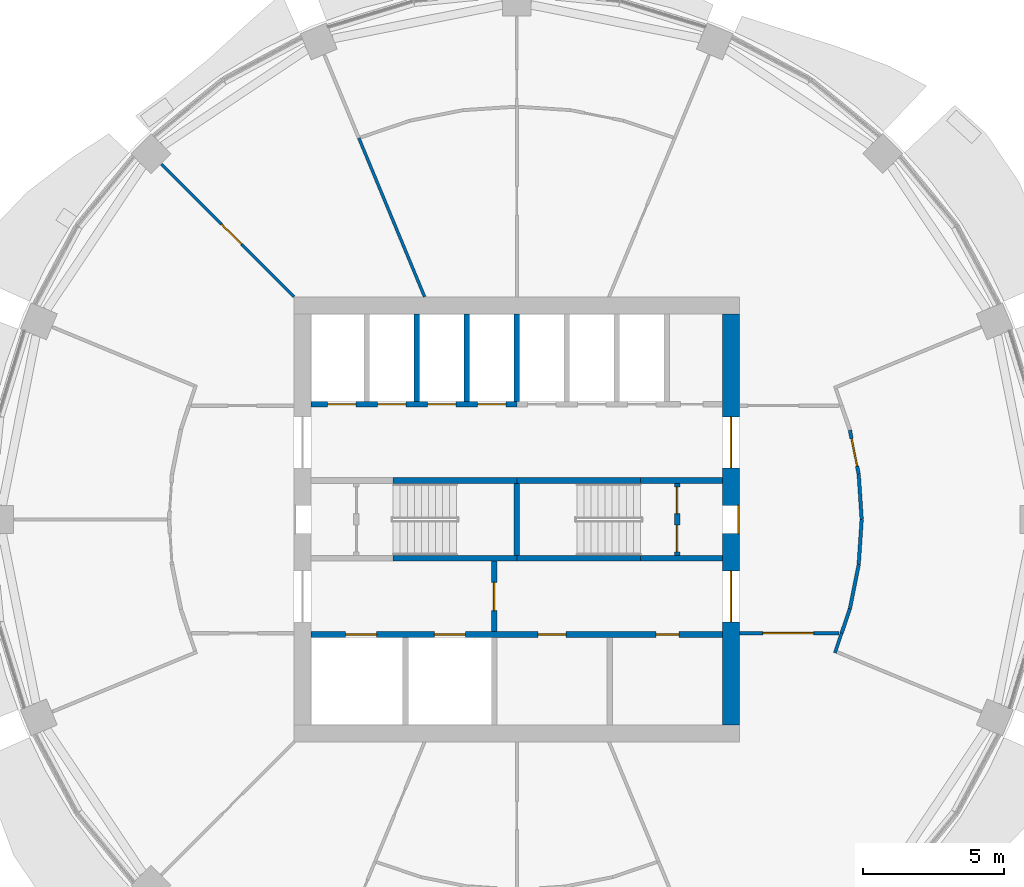
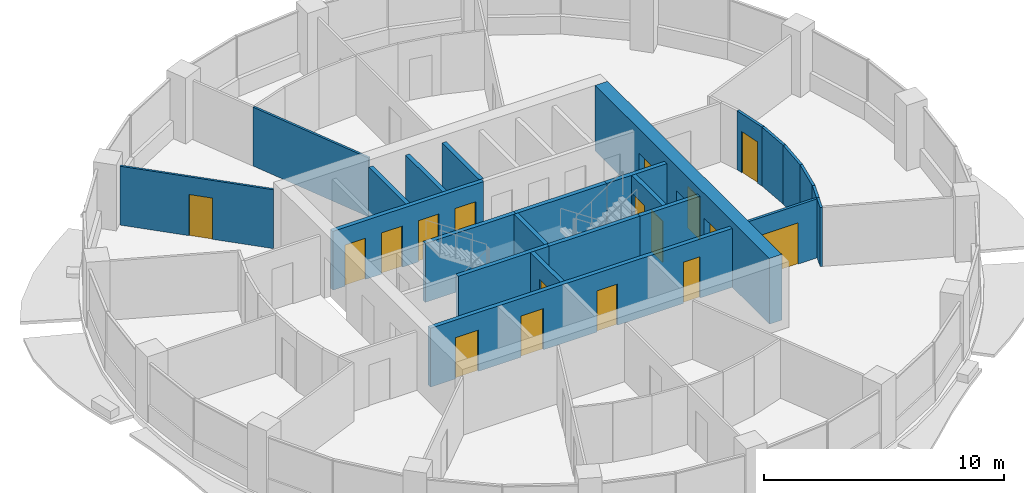
# One storey, part 9 of 14: 24 walls, 17 doors, 17 openings.
"""IFC4 building model written with IfcOpenShell, lengths in metres."""

from ifc_helpers import new_model, si_unit, direction, frame, frame_2d, origin, place, context, subcontext, project, spatial, rectangle, extrude, material, layer, layer_set, type_object, element, fill, save


model = new_model("IFC4")

# Units and contexts
model_context = context("Model", 3, precision=1e-05, world=origin(), true_north=direction((0.0, 1.0)))
body_context = subcontext(model_context, "Body", "Model", "MODEL_VIEW")
ifc_project = project(units=[si_unit("LENGTHUNIT", "METRE"), si_unit("AREAUNIT", "SQUARE_METRE"), si_unit("VOLUMEUNIT", "CUBIC_METRE"), si_unit("PLANEANGLEUNIT", "RADIAN"), si_unit("MASSUNIT", "GRAM", prefix="KILO")], contexts=[model_context])

# Site, building, storey
site_placement = place(None, origin())
site = spatial("IfcSite", under=ifc_project, at=site_placement, CompositionType="ELEMENT")
building_placement = place(site_placement, origin())
building = spatial("IfcBuilding", under=site, at=building_placement, Name="Polderwave Tower", CompositionType="ELEMENT")
storey_placement = place(building_placement, frame((0.0, 0.0, 147.75)))
storey = spatial("IfcBuildingStorey", under=building, at=storey_placement, Name="L39", CompositionType="ELEMENT", Elevation=147.75)

# Wall, openings, doors
ifc_material_1 = material(Name="Concrete C60/75", Category="concrete")
ifc_layer_1 = layer(ifc_material_1, 0.60009765625)
ifc_layer_set_1 = layer_set([ifc_layer_1], Name="CORE WALL 600 C60/75")
wall_type_1 = type_object("IfcWallType", Name="CORE WALL 600 C60/75", PredefinedType="SHEAR", material=ifc_layer_set_1)
wall_1_placement = place(storey_placement, frame((7.573974609375, -7.27392578125, 0.0), z_axis=(0.0, 0.0, 1.0), x_axis=(0.0, 1.0, 0.0)))
wall_1 = element("IfcWall", 1, at=wall_1_placement, inside=storey, type_object=wall_type_1, Name="ST-CORE-L39-E", PredefinedType="SHEAR", context=body_context, shape_type="SweptSolid", body=[
    extrude(rectangle(XDim=14.5478515625, YDim=0.60009765625, at=frame_2d((7.27392578125, 0.0))), origin(), (0.0, 0.0, 1.0), 3.35009765625),
])
opening_1_placement = place(wall_1_placement, frame((6.77392578125, 0.0, 0.0)))
opening_1 = element("IfcOpeningElement", 2, at=opening_1_placement, cuts=wall_1, Name="Opening L39-D21", PredefinedType="OPENING", context=body_context, shape_type="SweptSolid", body=[
    extrude(rectangle(XDim=1.0, YDim=2.10009765625, at=frame_2d((0.5, 1.050048828125))), frame((0.0, 0.31005859375, 0.0), z_axis=(0.0, -1.0, 0.0), x_axis=(1.0, 0.0, 0.0)), (0.0, 0.0, 1.0), 0.6201171875),
])
opening_2_placement = place(wall_1_placement, frame((3.6494140625, 0.0, 0.0)))
opening_2 = element("IfcOpeningElement", 3, at=opening_2_placement, cuts=wall_1, Name="Opening L39-D22", PredefinedType="OPENING", context=body_context, shape_type="SweptSolid", body=[
    extrude(rectangle(XDim=1.800048828125, YDim=2.10009765625, at=frame_2d((0.89990234375, 1.050048828125))), frame((0.0, 0.31005859375, 0.0), z_axis=(0.0, -1.0, 0.0), x_axis=(1.0, 0.0, 0.0)), (0.0, 0.0, 1.0), 0.6201171875),
])
opening_3_placement = place(wall_1_placement, frame((9.098388671875, 0.0, 0.0)))
opening_3 = element("IfcOpeningElement", 4, at=opening_3_placement, cuts=wall_1, Name="Opening L39-D23", PredefinedType="OPENING", context=body_context, shape_type="SweptSolid", body=[
    extrude(rectangle(XDim=1.800048828125, YDim=2.10009765625, at=frame_2d((0.89990234375, 1.050048828125))), frame((0.0, 0.31005859375, 0.0), z_axis=(0.0, -1.0, 0.0), x_axis=(1.0, 0.0, 0.0)), (0.0, 0.0, 1.0), 0.6201171875),
])
ifc_material_2 = material(Name="Steel fire door", Category="steel")
door_type_1 = type_object("IfcDoorType", Name="Lobby entry door pair 1800", OperationType="DOUBLE_DOOR_SINGLE_SWING", PredefinedType="DOOR", material=ifc_material_2)
door_1_placement = place(opening_2_placement, frame((1.800048828125, 0.0, 0.0), z_axis=(0.0, 0.0, 1.0), x_axis=(-1.0, 0.0, 0.0)))
door_1 = element("IfcDoor", 5, at=door_1_placement, inside=storey, type_object=door_type_1, Name="South lobby entry door", OperationType="DOUBLE_DOOR_SINGLE_SWING", OverallHeight=2.10009765625, OverallWidth=1.800048828125, PredefinedType="DOOR", context=body_context, shape_type="SweptSolid", body=[
    extrude(rectangle(XDim=1.800048828125, YDim=2.10009765625, at=frame_2d((0.89990234375, 1.050048828125))), frame((0.0, 0.02490234375, 0.0), z_axis=(0.0, -1.0, 0.0), x_axis=(1.0, 0.0, 0.0)), (0.0, 0.0, 1.0), 0.050048828125),
])
fill(opening_2, door_1)
door_2_placement = place(opening_3_placement, frame((1.800048828125, 0.0, 0.0), z_axis=(0.0, 0.0, 1.0), x_axis=(-1.0, 0.0, 0.0)))
door_2 = element("IfcDoor", 6, at=door_2_placement, inside=storey, type_object=door_type_1, Name="North lobby entry door", OperationType="DOUBLE_DOOR_SINGLE_SWING", OverallHeight=2.10009765625, OverallWidth=1.800048828125, PredefinedType="DOOR", context=body_context, shape_type="SweptSolid", body=[
    extrude(rectangle(XDim=1.800048828125, YDim=2.10009765625, at=frame_2d((0.89990234375, 1.050048828125))), frame((0.0, 0.02490234375, 0.0), z_axis=(0.0, -1.0, 0.0), x_axis=(1.0, 0.0, 0.0)), (0.0, 0.0, 1.0), 0.050048828125),
])
fill(opening_3, door_2)
door_type_2 = type_object("IfcDoorType", Name="Stair door 1000", OperationType="NOTDEFINED", PredefinedType="DOOR", material=ifc_material_2)
door_3_placement = place(opening_1_placement, frame((1.0, 0.0, 0.0), z_axis=(0.0, 0.0, 1.0), x_axis=(-1.0, 0.0, 0.0)))
door_3 = element("IfcDoor", 7, at=door_3_placement, inside=storey, type_object=door_type_2, Name="Stair B entry door", OperationType="SINGLE_SWING_LEFT", OverallHeight=2.10009765625, OverallWidth=1.0, PredefinedType="DOOR", context=body_context, shape_type="SweptSolid", body=[
    extrude(rectangle(XDim=1.0, YDim=2.10009765625, at=frame_2d((0.5, 1.050048828125))), frame((0.0, 0.2998046875, 0.0), z_axis=(0.0, -1.0, 0.0), x_axis=(1.0, 0.0, 0.0)), (0.0, 0.0, 1.0), 0.050048828125),
])
fill(opening_1, door_3)

# Wall, opening, door
ifc_material_3 = material(Name="Gypsum board partition")
ifc_layer_2 = layer(ifc_material_3, 0.199951171875)
ifc_layer_set_2 = layer_set([ifc_layer_2], Name="Core room partition 200")
wall_type_2 = type_object("IfcWallType", Name="Core room partition 200", PredefinedType="PARTITIONING", material=ifc_layer_set_2)
wall_2_placement = place(storey_placement, frame((-0.800048828125, -3.97412109375, 0.0), z_axis=(0.0, 0.0, 1.0), x_axis=(0.0, 1.0, 0.0)))
wall_2 = element("IfcWall", 8, at=wall_2_placement, inside=storey, type_object=wall_type_2, Name="L39 fire-fighting lobby wall", PredefinedType="PARTITIONING", context=body_context, shape_type="SweptSolid", body=[
    extrude(rectangle(XDim=2.4990234375, YDim=0.199951171875, at=frame_2d((1.24951171875, 0.0))), origin(), (0.0, 0.0, 1.0), 3.0),
])
opening_4_placement = place(wall_2_placement, frame((0.74951171875, 0.0, 0.0)))
opening_4 = element("IfcOpeningElement", 9, at=opening_4_placement, cuts=wall_2, Name="Opening L39-D14", PredefinedType="OPENING", context=body_context, shape_type="SweptSolid", body=[
    extrude(rectangle(XDim=1.0, YDim=2.10009765625, at=frame_2d((0.5, 1.050048828125))), frame((0.0, 0.10986328125, 0.0), z_axis=(0.0, -1.0, 0.0), x_axis=(1.0, 0.0, 0.0)), (0.0, 0.0, 1.0), 0.219970703125),
])
door_type_3 = type_object("IfcDoorType", Name="Lobby fire door 1000", OperationType="NOTDEFINED", PredefinedType="DOOR", material=ifc_material_2)
door_4_placement = place(opening_4_placement, frame((1.0, 0.0, 0.0), z_axis=(0.0, 0.0, 1.0), x_axis=(-1.0, 0.0, 0.0)))
door_4 = element("IfcDoor", 10, at=door_4_placement, inside=storey, type_object=door_type_3, Name="Fire-fighting lobby door", OperationType="SINGLE_SWING_LEFT", OverallHeight=2.10009765625, OverallWidth=1.0, PredefinedType="DOOR", context=body_context, shape_type="SweptSolid", body=[
    extrude(rectangle(XDim=1.0, YDim=2.10009765625, at=frame_2d((0.5, 1.050048828125))), frame((0.0, 0.02490234375, 0.0), z_axis=(0.0, -1.0, 0.0), x_axis=(1.0, 0.0, 0.0)), (0.0, 0.0, 1.0), 0.050048828125),
])
fill(opening_4, door_4)

# Wall, openings, doors
wall_3_placement = place(storey_placement, frame((5.674072265625, -1.27490234375, 0.0), z_axis=(0.0, 0.0, 1.0), x_axis=(0.0, 1.0, 0.0)))
wall_3 = element("IfcWall", 11, at=wall_3_placement, inside=storey, type_object=wall_type_2, Name="L39 smoke lobby wall B", PredefinedType="PARTITIONING", context=body_context, shape_type="SweptSolid", body=[
    extrude(rectangle(XDim=2.5498046875, YDim=0.199951171875, at=frame_2d((1.27490234375, 0.0))), origin(), (0.0, 0.0, 1.0), 3.0),
])
opening_5_placement = place(wall_3_placement, frame((0.125, 0.0, 0.0)))
opening_5 = element("IfcOpeningElement", 12, at=opening_5_placement, cuts=wall_3, Name="Opening L39-D12", PredefinedType="OPENING", context=body_context, shape_type="SweptSolid", body=[
    extrude(rectangle(XDim=0.949951171875, YDim=2.10009765625, at=frame_2d((0.47509765625, 1.050048828125))), frame((0.0, 0.10986328125, 0.0), z_axis=(0.0, -1.0, 0.0), x_axis=(1.0, 0.0, 0.0)), (0.0, 0.0, 1.0), 0.219970703125),
])
opening_6_placement = place(wall_3_placement, frame((1.47509765625, 0.0, 0.0)))
opening_6 = element("IfcOpeningElement", 13, at=opening_6_placement, cuts=wall_3, Name="Opening L39-D13", PredefinedType="OPENING", context=body_context, shape_type="SweptSolid", body=[
    extrude(rectangle(XDim=0.949951171875, YDim=2.10009765625, at=frame_2d((0.47509765625, 1.050048828125))), frame((0.0, 0.10986328125, 0.0), z_axis=(0.0, -1.0, 0.0), x_axis=(1.0, 0.0, 0.0)), (0.0, 0.0, 1.0), 0.219970703125),
])
door_type_4 = type_object("IfcDoorType", Name="Smoke lobby door 950", OperationType="NOTDEFINED", PredefinedType="DOOR", material=ifc_material_2)
door_5_placement = place(opening_5_placement, frame((0.949951171875, 0.0, 0.0), z_axis=(0.0, 0.0, 1.0), x_axis=(-1.0, 0.0, 0.0)))
door_5 = element("IfcDoor", 14, at=door_5_placement, inside=storey, type_object=door_type_4, Name="Stair B smoke lobby inner door", OperationType="SINGLE_SWING_RIGHT", OverallHeight=2.10009765625, OverallWidth=0.949951171875, PredefinedType="DOOR", context=body_context, shape_type="SweptSolid", body=[
    extrude(rectangle(XDim=0.949951171875, YDim=2.10009765625, at=frame_2d((0.47509765625, 1.050048828125))), frame((0.0, 0.02490234375, 0.0), z_axis=(0.0, -1.0, 0.0), x_axis=(1.0, 0.0, 0.0)), (0.0, 0.0, 1.0), 0.050048828125),
])
fill(opening_5, door_5)
door_6_placement = place(opening_6_placement, frame((0.949951171875, 0.0, 0.0), z_axis=(0.0, 0.0, 1.0), x_axis=(-1.0, 0.0, 0.0)))
door_6 = element("IfcDoor", 15, at=door_6_placement, inside=storey, type_object=door_type_4, Name="Stair B smoke lobby inner door", OperationType="SINGLE_SWING_LEFT", OverallHeight=2.10009765625, OverallWidth=0.949951171875, PredefinedType="DOOR", context=body_context, shape_type="SweptSolid", body=[
    extrude(rectangle(XDim=0.949951171875, YDim=2.10009765625, at=frame_2d((0.47509765625, 1.050048828125))), frame((0.0, 0.02490234375, 0.0), z_axis=(0.0, -1.0, 0.0), x_axis=(1.0, 0.0, 0.0)), (0.0, 0.0, 1.0), 0.050048828125),
])
fill(opening_6, door_6)

ifc_material_4 = material(Name="Concrete C50/60", Category="concrete")
ifc_layer_3 = layer(ifc_material_4, 0.199951171875)
ifc_layer_set_3 = layer_set([ifc_layer_3], Name="Core web wall 200")
wall_type_3 = type_object("IfcWallType", Name="Core web wall 200", PredefinedType="SHEAR", material=ifc_layer_set_3)
wall_4_placement = place(storey_placement, frame((-7.27392578125, -4.073974609375, 0.0), z_axis=(0.0, 0.0, 1.0), x_axis=(1.0, 0.0, 0.0)))
wall_4 = element("IfcWall", 16, at=wall_4_placement, inside=storey, type_object=wall_type_3, Name="L39 south front wall", PredefinedType="SHEAR", context=body_context, shape_type="SweptSolid", body=[
    extrude(rectangle(XDim=14.5478515625, YDim=0.199951171875, at=frame_2d((7.27392578125, 0.0))), origin(), (0.0, 0.0, 1.0), 3.0),
])
opening_7_placement = place(wall_4_placement, frame((1.218505859375, 0.0, 0.0)))
opening_7 = element("IfcOpeningElement", 17, at=opening_7_placement, cuts=wall_4, Name="Opening L39-D01", PredefinedType="OPENING", context=body_context, shape_type="SweptSolid", body=[
    extrude(rectangle(XDim=1.10009765625, YDim=2.10009765625, at=frame_2d((0.550048828125, 1.050048828125))), frame((0.0, 0.10986328125, 0.0), z_axis=(0.0, -1.0, 0.0), x_axis=(1.0, 0.0, 0.0)), (0.0, 0.0, 1.0), 0.219970703125),
])
opening_8_placement = place(wall_4_placement, frame((4.35546875, 0.0, 0.0)))
opening_8 = element("IfcOpeningElement", 18, at=opening_8_placement, cuts=wall_4, Name="Opening L39-D02", PredefinedType="OPENING", context=body_context, shape_type="SweptSolid", body=[
    extrude(rectangle(XDim=1.10009765625, YDim=2.10009765625, at=frame_2d((0.550048828125, 1.050048828125))), frame((0.0, 0.10986328125, 0.0), z_axis=(0.0, -1.0, 0.0), x_axis=(1.0, 0.0, 0.0)), (0.0, 0.0, 1.0), 0.219970703125),
])
opening_9_placement = place(wall_4_placement, frame((8.017578125, 0.0, 0.0)))
opening_9 = element("IfcOpeningElement", 19, at=opening_9_placement, cuts=wall_4, Name="Opening L39-D15", PredefinedType="OPENING", context=body_context, shape_type="SweptSolid", body=[
    extrude(rectangle(XDim=1.0, YDim=2.10009765625, at=frame_2d((0.5, 1.050048828125))), frame((0.0, 0.10986328125, 0.0), z_axis=(0.0, -1.0, 0.0), x_axis=(1.0, 0.0, 0.0)), (0.0, 0.0, 1.0), 0.219970703125),
])
opening_10_placement = place(wall_4_placement, frame((12.20458984375, 0.0, 0.0)))
opening_10 = element("IfcOpeningElement", 20, at=opening_10_placement, cuts=wall_4, Name="Opening L39-D16", PredefinedType="OPENING", context=body_context, shape_type="SweptSolid", body=[
    extrude(rectangle(XDim=0.800048828125, YDim=2.10009765625, at=frame_2d((0.39990234375, 1.050048828125))), frame((0.0, 0.10986328125, 0.0), z_axis=(0.0, -1.0, 0.0), x_axis=(1.0, 0.0, 0.0)), (0.0, 0.0, 1.0), 0.219970703125),
])
ifc_material_5 = material(Name="Stainless steel", Category="steel")
door_type_5 = type_object("IfcDoorType", Name="Fire-fighting lift landing door 1100", OperationType="DOUBLE_DOOR_SLIDING", PredefinedType="DOOR", material=ifc_material_5)
door_7_placement = place(opening_7_placement, origin())
door_7 = element("IfcDoor", 21, at=door_7_placement, inside=storey, type_object=door_type_5, Name="Fire-fighting lift FF1 landing door", OperationType="DOUBLE_DOOR_SLIDING", OverallHeight=2.10009765625, OverallWidth=1.10009765625, PredefinedType="DOOR", context=body_context, shape_type="SweptSolid", body=[
    extrude(rectangle(XDim=1.10009765625, YDim=2.10009765625, at=frame_2d((0.550048828125, 1.050048828125))), frame((0.0, 0.02490234375, 0.0), z_axis=(0.0, -1.0, 0.0), x_axis=(1.0, 0.0, 0.0)), (0.0, 0.0, 1.0), 0.050048828125),
])
fill(opening_7, door_7)
door_8_placement = place(opening_8_placement, origin())
door_8 = element("IfcDoor", 22, at=door_8_placement, inside=storey, type_object=door_type_5, Name="Fire-fighting lift FF2 landing door", OperationType="DOUBLE_DOOR_SLIDING", OverallHeight=2.10009765625, OverallWidth=1.10009765625, PredefinedType="DOOR", context=body_context, shape_type="SweptSolid", body=[
    extrude(rectangle(XDim=1.10009765625, YDim=2.10009765625, at=frame_2d((0.550048828125, 1.050048828125))), frame((0.0, 0.02490234375, 0.0), z_axis=(0.0, -1.0, 0.0), x_axis=(1.0, 0.0, 0.0)), (0.0, 0.0, 1.0), 0.050048828125),
])
fill(opening_8, door_8)
door_type_6 = type_object("IfcDoorType", Name="Riser door 800", OperationType="NOTDEFINED", PredefinedType="DOOR", material=ifc_material_2)
door_9_placement = place(opening_10_placement, origin())
door_9 = element("IfcDoor", 23, at=door_9_placement, inside=storey, type_object=door_type_6, Name="Switch room door", OperationType="SINGLE_SWING_RIGHT", OverallHeight=2.10009765625, OverallWidth=0.800048828125, PredefinedType="DOOR", context=body_context, shape_type="SweptSolid", body=[
    extrude(rectangle(XDim=0.800048828125, YDim=2.10009765625, at=frame_2d((0.39990234375, 1.050048828125))), frame((0.0, 0.02490234375, 0.0), z_axis=(0.0, -1.0, 0.0), x_axis=(1.0, 0.0, 0.0)), (0.0, 0.0, 1.0), 0.050048828125),
])
fill(opening_10, door_9)
ifc_material_6 = material(Name="Timber door leaf", Category="wood")
door_type_7 = type_object("IfcDoorType", Name="Room door 1000", OperationType="NOTDEFINED", PredefinedType="DOOR", material=ifc_material_6)
door_10_placement = place(opening_9_placement, origin())
door_10 = element("IfcDoor", 24, at=door_10_placement, inside=storey, type_object=door_type_7, Name="Plant room door", OperationType="SINGLE_SWING_RIGHT", OverallHeight=2.10009765625, OverallWidth=1.0, PredefinedType="DOOR", context=body_context, shape_type="SweptSolid", body=[
    extrude(rectangle(XDim=1.0, YDim=2.10009765625, at=frame_2d((0.5, 1.050048828125))), frame((0.0, 0.02490234375, 0.0), z_axis=(0.0, -1.0, 0.0), x_axis=(1.0, 0.0, 0.0)), (0.0, 0.0, 1.0), 0.050048828125),
])
fill(opening_9, door_10)

wall_5_placement = place(storey_placement, frame((-7.27392578125, 4.073974609375, 0.0), z_axis=(0.0, 0.0, 1.0), x_axis=(1.0, 0.0, 0.0)))
wall_5 = element("IfcWall", 25, at=wall_5_placement, inside=storey, type_object=wall_type_3, Name="L39 north front wall 1", PredefinedType="SHEAR", context=body_context, shape_type="SweptSolid", body=[
    extrude(rectangle(XDim=7.27392578125, YDim=0.199951171875, at=frame_2d((3.636962890625, 0.0))), origin(), (0.0, 0.0, 1.0), 3.0),
])
opening_11_placement = place(wall_5_placement, frame((0.584228515625, 0.0, 0.0)))
opening_11 = element("IfcOpeningElement", 26, at=opening_11_placement, cuts=wall_5, Name="Opening L39-D03", PredefinedType="OPENING", context=body_context, shape_type="SweptSolid", body=[
    extrude(rectangle(XDim=1.0, YDim=2.10009765625, at=frame_2d((0.5, 1.050048828125))), frame((0.0, 0.10986328125, 0.0), z_axis=(0.0, -1.0, 0.0), x_axis=(1.0, 0.0, 0.0)), (0.0, 0.0, 1.0), 0.219970703125),
])
opening_12_placement = place(wall_5_placement, frame((2.352783203125, 0.0, 0.0)))
opening_12 = element("IfcOpeningElement", 27, at=opening_12_placement, cuts=wall_5, Name="Opening L39-D04", PredefinedType="OPENING", context=body_context, shape_type="SweptSolid", body=[
    extrude(rectangle(XDim=1.0, YDim=2.10009765625, at=frame_2d((0.5, 1.050048828125))), frame((0.0, 0.10986328125, 0.0), z_axis=(0.0, -1.0, 0.0), x_axis=(1.0, 0.0, 0.0)), (0.0, 0.0, 1.0), 0.219970703125),
])
opening_13_placement = place(wall_5_placement, frame((4.12109375, 0.0, 0.0)))
opening_13 = element("IfcOpeningElement", 28, at=opening_13_placement, cuts=wall_5, Name="Opening L39-D05", PredefinedType="OPENING", context=body_context, shape_type="SweptSolid", body=[
    extrude(rectangle(XDim=1.0, YDim=2.10009765625, at=frame_2d((0.5, 1.050048828125))), frame((0.0, 0.10986328125, 0.0), z_axis=(0.0, -1.0, 0.0), x_axis=(1.0, 0.0, 0.0)), (0.0, 0.0, 1.0), 0.219970703125),
])
opening_14_placement = place(wall_5_placement, frame((5.889892578125, 0.0, 0.0)))
opening_14 = element("IfcOpeningElement", 29, at=opening_14_placement, cuts=wall_5, Name="Opening L39-D06", PredefinedType="OPENING", context=body_context, shape_type="SweptSolid", body=[
    extrude(rectangle(XDim=1.0, YDim=2.10009765625, at=frame_2d((0.5, 1.050048828125))), frame((0.0, 0.10986328125, 0.0), z_axis=(0.0, -1.0, 0.0), x_axis=(1.0, 0.0, 0.0)), (0.0, 0.0, 1.0), 0.219970703125),
])
door_type_8 = type_object("IfcDoorType", Name="Lift landing door 1000", OperationType="DOUBLE_DOOR_SLIDING", PredefinedType="DOOR", material=ifc_material_5)
door_11_placement = place(opening_11_placement, frame((1.0, 0.0, 0.0), z_axis=(0.0, 0.0, 1.0), x_axis=(-1.0, 0.0, 0.0)))
door_11 = element("IfcDoor", 30, at=door_11_placement, inside=storey, type_object=door_type_8, Name="Lift HL1 landing door", OperationType="DOUBLE_DOOR_SLIDING", OverallHeight=2.10009765625, OverallWidth=1.0, PredefinedType="DOOR", context=body_context, shape_type="SweptSolid", body=[
    extrude(rectangle(XDim=1.0, YDim=2.10009765625, at=frame_2d((0.5, 1.050048828125))), frame((0.0, 0.02490234375, 0.0), z_axis=(0.0, -1.0, 0.0), x_axis=(1.0, 0.0, 0.0)), (0.0, 0.0, 1.0), 0.050048828125),
])
fill(opening_11, door_11)
door_12_placement = place(opening_12_placement, frame((1.0, 0.0, 0.0), z_axis=(0.0, 0.0, 1.0), x_axis=(-1.0, 0.0, 0.0)))
door_12 = element("IfcDoor", 31, at=door_12_placement, inside=storey, type_object=door_type_8, Name="Lift HL2 landing door", OperationType="DOUBLE_DOOR_SLIDING", OverallHeight=2.10009765625, OverallWidth=1.0, PredefinedType="DOOR", context=body_context, shape_type="SweptSolid", body=[
    extrude(rectangle(XDim=1.0, YDim=2.10009765625, at=frame_2d((0.5, 1.050048828125))), frame((0.0, 0.02490234375, 0.0), z_axis=(0.0, -1.0, 0.0), x_axis=(1.0, 0.0, 0.0)), (0.0, 0.0, 1.0), 0.050048828125),
])
fill(opening_12, door_12)
door_13_placement = place(opening_13_placement, frame((1.0, 0.0, 0.0), z_axis=(0.0, 0.0, 1.0), x_axis=(-1.0, 0.0, 0.0)))
door_13 = element("IfcDoor", 32, at=door_13_placement, inside=storey, type_object=door_type_8, Name="Lift HL3 landing door", OperationType="DOUBLE_DOOR_SLIDING", OverallHeight=2.10009765625, OverallWidth=1.0, PredefinedType="DOOR", context=body_context, shape_type="SweptSolid", body=[
    extrude(rectangle(XDim=1.0, YDim=2.10009765625, at=frame_2d((0.5, 1.050048828125))), frame((0.0, 0.02490234375, 0.0), z_axis=(0.0, -1.0, 0.0), x_axis=(1.0, 0.0, 0.0)), (0.0, 0.0, 1.0), 0.050048828125),
])
fill(opening_13, door_13)
door_14_placement = place(opening_14_placement, frame((1.0, 0.0, 0.0), z_axis=(0.0, 0.0, 1.0), x_axis=(-1.0, 0.0, 0.0)))
door_14 = element("IfcDoor", 33, at=door_14_placement, inside=storey, type_object=door_type_8, Name="Lift HL4 landing door", OperationType="DOUBLE_DOOR_SLIDING", OverallHeight=2.10009765625, OverallWidth=1.0, PredefinedType="DOOR", context=body_context, shape_type="SweptSolid", body=[
    extrude(rectangle(XDim=1.0, YDim=2.10009765625, at=frame_2d((0.5, 1.050048828125))), frame((0.0, 0.02490234375, 0.0), z_axis=(0.0, -1.0, 0.0), x_axis=(1.0, 0.0, 0.0)), (0.0, 0.0, 1.0), 0.050048828125),
])
fill(opening_14, door_14)

# Walls
for number, where, z_axis, x_axis, name in (
    (34, (-4.3740234375, -1.375, 0.0), (0.0, 0.0, 1.0), (1.0, 0.0, 0.0), "L39 south stair wall 2"),
    (35, (0.0, -1.375, 0.0), (0.0, 0.0, 1.0), (1.0, 0.0, 0.0), "L39 south stair wall 3"),
):
    element("IfcWall", number, at=place(storey_placement, frame(where, z_axis=z_axis, x_axis=x_axis)), inside=storey, type_object=wall_type_3, Name=name, PredefinedType="SHEAR", context=body_context, shape_type="SweptSolid", body=[
        extrude(rectangle(XDim=4.3740234375, YDim=0.199951171875, at=frame_2d((2.18701171875, 0.0))), origin(), (0.0, 0.0, 1.0), 3.0),
    ])
wall_6_placement = place(storey_placement, frame((4.3740234375, -1.375, 0.0), z_axis=(0.0, 0.0, 1.0), x_axis=(1.0, 0.0, 0.0)))
element("IfcWall", 36, at=wall_6_placement, inside=storey, type_object=wall_type_3, Name="L39 south stair wall 4", PredefinedType="SHEAR", context=body_context, shape_type="SweptSolid", body=[
    extrude(rectangle(XDim=2.89990234375, YDim=0.199951171875, at=frame_2d((1.449951171875, 0.0))), origin(), (0.0, 0.0, 1.0), 3.0),
])
for number, where, z_axis, x_axis, name in (
    (37, (-4.3740234375, 1.375, 0.0), (0.0, 0.0, 1.0), (1.0, 0.0, 0.0), "L39 north stair wall 2"),
    (38, (0.0, 1.375, 0.0), (0.0, 0.0, 1.0), (1.0, 0.0, 0.0), "L39 north stair wall 3"),
):
    element("IfcWall", number, at=place(storey_placement, frame(where, z_axis=z_axis, x_axis=x_axis)), inside=storey, type_object=wall_type_3, Name=name, PredefinedType="SHEAR", context=body_context, shape_type="SweptSolid", body=[
        extrude(rectangle(XDim=4.3740234375, YDim=0.199951171875, at=frame_2d((2.18701171875, 0.0))), origin(), (0.0, 0.0, 1.0), 3.0),
    ])
wall_7_placement = place(storey_placement, frame((4.3740234375, 1.375, 0.0), z_axis=(0.0, 0.0, 1.0), x_axis=(1.0, 0.0, 0.0)))
element("IfcWall", 39, at=wall_7_placement, inside=storey, type_object=wall_type_3, Name="L39 north stair wall 4", PredefinedType="SHEAR", context=body_context, shape_type="SweptSolid", body=[
    extrude(rectangle(XDim=2.89990234375, YDim=0.199951171875, at=frame_2d((1.449951171875, 0.0))), origin(), (0.0, 0.0, 1.0), 3.0),
])
wall_8_placement = place(storey_placement, frame((0.0, -1.27490234375, 0.0), z_axis=(0.0, 0.0, 1.0), x_axis=(0.0, 1.0, 0.0)))
element("IfcWall", 40, at=wall_8_placement, inside=storey, type_object=wall_type_3, Name="L39 wall between the stairs", PredefinedType="SHEAR", context=body_context, shape_type="SweptSolid", body=[
    extrude(rectangle(XDim=2.5498046875, YDim=0.199951171875, at=frame_2d((1.27490234375, 0.0))), origin(), (0.0, 0.0, 1.0), 3.0),
])
ifc_material_7 = material(Name="Fire-resisting board on steel studs", Category="steel")
ifc_layer_4 = layer(ifc_material_7, 0.125)
ifc_layer_set_4 = layer_set([ifc_layer_4], Name="Corridor wall 125 mm EI 60")
wall_type_4 = type_object("IfcWallType", Name="Corridor wall 125 mm EI 60", PredefinedType="PARTITIONING", material=ifc_layer_set_4)
wall_9_placement = place(storey_placement, frame((11.782958984375, -3.16162109375, 0.0), z_axis=(0.0, 0.0, 1.0), x_axis=(-0.321528033916, -0.946900059883, 0.0)))
element("IfcWall", 41, at=wall_9_placement, inside=storey, type_object=wall_type_4, Name="IN-L39-W002", PredefinedType="PARTITIONING", context=body_context, shape_type="SweptSolid", body=[
    extrude(rectangle(XDim=0.9111328125, YDim=0.125, at=frame_2d((0.45556640625, 0.0))), origin(), (0.0, 0.0, 1.0), 3.0),
])

# Wall, opening, door
wall_10_placement = place(storey_placement, frame((11.78515625, 3.153564453125, 0.0), z_axis=(0.0, 0.0, 1.0), x_axis=(0.194992234072, -0.980804786209, 0.0)))
wall_10 = element("IfcWall", 42, at=wall_10_placement, inside=storey, type_object=wall_type_4, Name="IN-L39-W003", PredefinedType="PARTITIONING", context=body_context, shape_type="SweptSolid", body=[
    extrude(rectangle(XDim=1.587646484375, YDim=0.125, at=frame_2d((0.7939453125, 0.0))), origin(), (0.0, 0.0, 1.0), 3.0),
])
opening_15_placement = place(wall_10_placement, frame((0.300048828125, 0.0, 0.0)))
opening_15 = element("IfcOpeningElement", 43, at=opening_15_placement, cuts=wall_10, Name="Opening L39-D50", PredefinedType="OPENING", context=body_context, shape_type="SweptSolid", body=[
    extrude(rectangle(XDim=1.0, YDim=2.10009765625, at=frame_2d((0.5, 1.050048828125))), frame((0.0, 0.072509765625, 0.0), z_axis=(0.0, -1.0, 0.0), x_axis=(1.0, 0.0, 0.0)), (0.0, 0.0, 1.0), 0.14501953125),
])
ifc_material_8 = material(Name="Timber fire door leaf", Category="wood")
door_type_9 = type_object("IfcDoorType", Name="Fire door FD30S 1000 x 2100", OperationType="NOTDEFINED", PredefinedType="DOOR", material=ifc_material_8)
door_15_placement = place(opening_15_placement, origin())
door_15 = element("IfcDoor", 44, at=door_15_placement, inside=storey, type_object=door_type_9, Name="Door L39-D50", OperationType="SINGLE_SWING_RIGHT", OverallHeight=2.10009765625, OverallWidth=1.0, PredefinedType="DOOR", context=body_context, shape_type="SweptSolid", body=[
    extrude(rectangle(XDim=1.0, YDim=2.10009765625, at=frame_2d((0.5, 1.050048828125))), frame((0.0, 0.02490234375, 0.0), z_axis=(0.0, -1.0, 0.0), x_axis=(1.0, 0.0, 0.0)), (0.0, 0.0, 1.0), 0.050048828125),
])
fill(opening_15, door_15)

# Walls
for number, where, z_axis, x_axis, name in (
    (45, (12.0947265625, -1.596435546875, 0.0), (0.0, 0.0, 1.0), (-0.194992234072, -0.980804786209, 0.0), "IN-L39-W004"),
    (46, (12.095947265625, 1.58837890625, 0.0), (0.0, 0.0, 1.0), (0.065355427749, -0.997862048614, 0.0), "IN-L39-W005"),
    (47, (12.19970703125, -0.004150390625, 0.0), (0.0, 0.0, 1.0), (-0.065355427749, -0.997862048614, 0.0), "IN-L39-W006"),
):
    element("IfcWall", number, at=place(storey_placement, frame(where, z_axis=z_axis, x_axis=x_axis)), inside=storey, type_object=wall_type_4, Name=name, PredefinedType="PARTITIONING", context=body_context, shape_type="SweptSolid", body=[
        extrude(rectangle(XDim=1.587646484375, YDim=0.125, at=frame_2d((0.7939453125, 0.0))), origin(), (0.0, 0.0, 1.0), 3.0),
    ])

# Wall, opening, door
wall_11_placement = place(storey_placement, frame((11.40283203125, -4.0244140625, 0.0), z_axis=(0.0, 0.0, 1.0), x_axis=(-1.0, 0.0, 0.0)))
wall_11 = element("IfcWall", 48, at=wall_11_placement, inside=storey, type_object=wall_type_4, Name="IN-L39-W008", PredefinedType="PARTITIONING", context=body_context, shape_type="SweptSolid", body=[
    extrude(rectangle(XDim=3.52880859375, YDim=0.125, at=frame_2d((1.764404296875, 0.0))), origin(), (0.0, 0.0, 1.0), 3.0),
])
opening_16_placement = place(wall_11_placement, frame((0.89990234375, 0.0, 0.0)))
opening_16 = element("IfcOpeningElement", 49, at=opening_16_placement, cuts=wall_11, Name="Opening L39-D52", PredefinedType="OPENING", context=body_context, shape_type="SweptSolid", body=[
    extrude(rectangle(XDim=1.800048828125, YDim=2.10009765625, at=frame_2d((0.89990234375, 1.050048828125))), frame((0.0, 0.072509765625, 0.0), z_axis=(0.0, -1.0, 0.0), x_axis=(1.0, 0.0, 0.0)), (0.0, 0.0, 1.0), 0.14501953125),
])
ifc_material_9 = material(Name="Timber fire door leaves", Category="wood")
door_type_10 = type_object("IfcDoorType", Name="Double fire door FD30S 1800 x 2100", OperationType="NOTDEFINED", PredefinedType="DOOR", material=ifc_material_9)
door_16_placement = place(opening_16_placement, origin())
door_16 = element("IfcDoor", 50, at=door_16_placement, inside=storey, type_object=door_type_10, Name="Door L39-D52", OperationType="DOUBLE_DOOR_SINGLE_SWING", OverallHeight=2.10009765625, OverallWidth=1.800048828125, PredefinedType="DOOR", context=body_context, shape_type="SweptSolid", body=[
    extrude(rectangle(XDim=1.800048828125, YDim=2.10009765625, at=frame_2d((0.89990234375, 1.050048828125))), frame((0.0, 0.02490234375, 0.0), z_axis=(0.0, -1.0, 0.0), x_axis=(1.0, 0.0, 0.0)), (0.0, 0.0, 1.0), 0.050048828125),
])
fill(opening_16, door_16)

ifc_material_10 = material(Name="Plasterboard on steel studs", Category="steel")
ifc_layer_5 = layer(ifc_material_10, 0.10009765625)
ifc_layer_set_5 = layer_set([ifc_layer_5], Name="Partition 100 mm plasterboard on steel studs")
wall_type_5 = type_object("IfcWallType", Name="Partition 100 mm plasterboard on steel studs", PredefinedType="PARTITIONING", material=ifc_layer_set_5)
wall_12_placement = place(storey_placement, frame((-12.565185546875, 12.565185546875, 0.0), z_axis=(0.0, 0.0, 1.0), x_axis=(0.707106781187, -0.707106781187, 0.0)))
wall_12 = element("IfcWall", 51, at=wall_12_placement, inside=storey, type_object=wall_type_5, Name="IN-L39-W033", PredefinedType="PARTITIONING", context=body_context, shape_type="SweptSolid", body=[
    extrude(rectangle(XDim=6.63427734375, YDim=0.10009765625, at=frame_2d((3.317138671875, 0.0))), origin(), (0.0, 0.0, 1.0), 3.0),
])
opening_17_placement = place(wall_12_placement, frame((3.0, 0.0, 0.0)))
opening_17 = element("IfcOpeningElement", 52, at=opening_17_placement, cuts=wall_12, Name="Opening L39-D61", PredefinedType="OPENING", context=body_context, shape_type="SweptSolid", body=[
    extrude(rectangle(XDim=1.0, YDim=2.10009765625, at=frame_2d((0.5, 1.050048828125))), frame((0.0, 0.06005859375, 0.0), z_axis=(0.0, -1.0, 0.0), x_axis=(1.0, 0.0, 0.0)), (0.0, 0.0, 1.0), 0.1201171875),
])
ifc_material_11 = material(Name="Timber veneer door leaf", Category="wood")
door_type_11 = type_object("IfcDoorType", Name="Single door 1000 x 2100", OperationType="NOTDEFINED", PredefinedType="DOOR", material=ifc_material_11)
door_17_placement = place(opening_17_placement, origin())
door_17 = element("IfcDoor", 53, at=door_17_placement, inside=storey, type_object=door_type_11, Name="Door L39-D61", OperationType="SINGLE_SWING_RIGHT", OverallHeight=2.10009765625, OverallWidth=1.0, PredefinedType="DOOR", context=body_context, shape_type="SweptSolid", body=[
    extrude(rectangle(XDim=1.0, YDim=2.10009765625, at=frame_2d((0.5, 1.050048828125))), frame((0.0, 0.02490234375, 0.0), z_axis=(0.0, -1.0, 0.0), x_axis=(1.0, 0.0, 0.0)), (0.0, 0.0, 1.0), 0.050048828125),
])
fill(opening_17, door_17)

# Walls
ifc_material_12 = material(Name="Moisture-resistant board on steel studs, tiled", Category="steel")
ifc_layer_6 = layer(ifc_material_12, 0.10498046875)
ifc_layer_set_6 = layer_set([ifc_layer_6], Name="Partition 105 mm wet room board and tile")
wall_type_6 = type_object("IfcWallType", Name="Partition 105 mm wet room board and tile", PredefinedType="PARTITIONING", material=ifc_layer_set_6)
wall_13_placement = place(storey_placement, frame((-3.261474609375, 7.8740234375, 0.0), z_axis=(0.0, 0.0, 1.0), x_axis=(-0.382694772383, 0.92387483524, 0.0)))
element("IfcWall", 54, at=wall_13_placement, inside=storey, type_object=wall_type_6, Name="IN-L39-W031", PredefinedType="PARTITIONING", context=body_context, shape_type="SweptSolid", body=[
    extrude(rectangle(XDim=6.0771484375, YDim=0.10498046875, at=frame_2d((3.03857421875, 0.0))), origin(), (0.0, 0.0, 1.0), 3.0),
])
ifc_material_13 = material(Name="Acoustic double plasterboard on steel studs", Category="steel")
ifc_layer_7 = layer(ifc_material_13, 0.110107421875)
ifc_layer_set_7 = layer_set([ifc_layer_7], Name="Partition 110 mm acoustic double board")
wall_type_7 = type_object("IfcWallType", Name="Partition 110 mm acoustic double board", PredefinedType="PARTITIONING", material=ifc_layer_set_7)
wall_14_placement = place(storey_placement, frame((11.253662109375, -4.720703125, 0.0), z_axis=(0.0, 0.0, 1.0), x_axis=(0.321402682693, 0.946942614712, 0.0)))
element("IfcWall", 55, at=wall_14_placement, inside=storey, type_object=wall_type_7, Name="IN-L39-W019", PredefinedType="PARTITIONING", context=body_context, shape_type="SweptSolid", body=[
    extrude(rectangle(XDim=0.7353515625, YDim=0.110107421875, at=frame_2d((0.36767578125, 0.0))), origin(), (0.0, 0.0, 1.0), 3.0),
])
ifc_material_14 = material(Name="Gypsum shaft wall system")
ifc_layer_8 = layer(ifc_material_14, 0.199951171875)
ifc_layer_set_8 = layer_set([ifc_layer_8], Name="Shaft wall 200")
wall_type_8 = type_object("IfcWallType", Name="Shaft wall 200", PredefinedType="PARTITIONING", material=ifc_layer_set_8)
for number, where, z_axis, x_axis, name in (
    (56, (-3.537109375, 4.174072265625, 0.0), (0.0, 0.0, 1.0), (0.0, 1.0, 0.0), "L39 lift shaft wall N2"),
    (57, (-1.7685546875, 4.174072265625, 0.0), (0.0, 0.0, 1.0), (0.0, 1.0, 0.0), "L39 lift shaft wall N3"),
    (58, (0.0, 4.174072265625, 0.0), (0.0, 0.0, 1.0), (0.0, 1.0, 0.0), "L39 lift shaft wall N4"),
):
    element("IfcWall", number, at=place(storey_placement, frame(where, z_axis=z_axis, x_axis=x_axis)), inside=storey, type_object=wall_type_8, Name=name, PredefinedType="PARTITIONING", context=body_context, shape_type="SweptSolid", body=[
        extrude(rectangle(XDim=3.099853515625, YDim=0.199951171875, at=frame_2d((1.5498046875, 0.0))), origin(), (0.0, 0.0, 1.0), 3.0),
    ])

save(model, "model.ifc")
